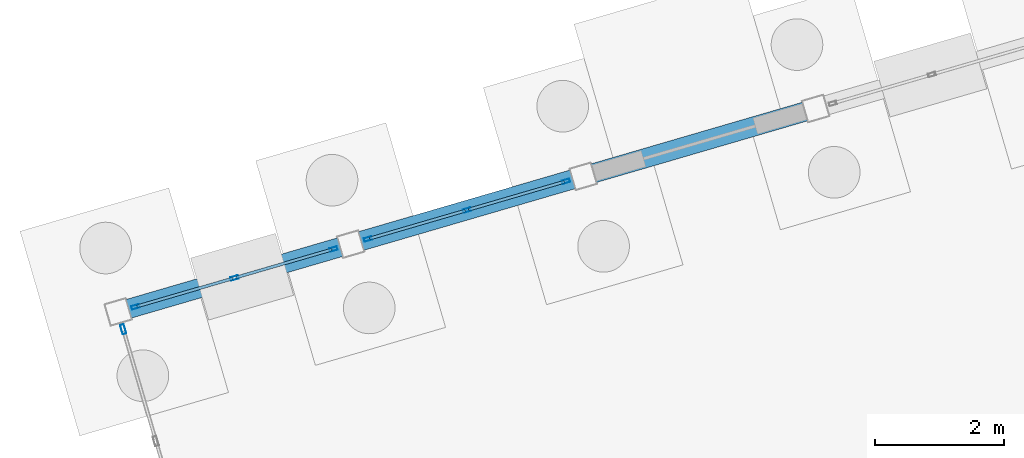
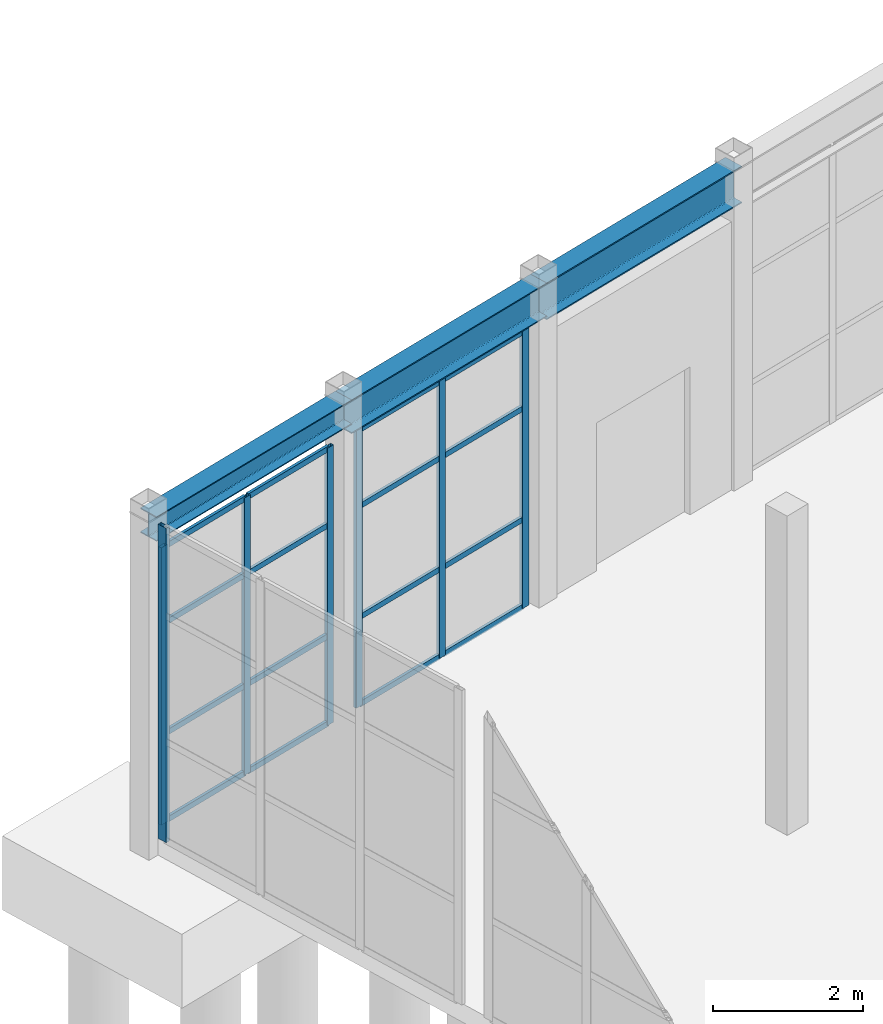
# One storey, part 31 of 90: 23 members, 3 beams, 3 elements without a shape of their own.
"""IFC4 building model written with IfcOpenShell, lengths in metres."""

import ifcopenshell
import ifcopenshell.guid

model = None  # the IFC model being written
_history = None  # IfcOwnerHistory: only IFC2X3 demands one
_inside = {}  # id of a spatial element -> (the spatial element, [elements in it])
_under = {}  # id of a project, library or spatial element -> (it, [spatial elements below it])
_declared = {}  # id of a project -> (the project, [libraries it declares])
_typed = {}  # id of a type object -> (the type object, [elements of that type])
_made_of = {}  # id of a material, layer set ... -> (it, [elements and type objects made of it])


def new_model(schema):
    """Start an empty IFC model of exactly this schema.

    Asked for "IFC4X3", IfcOpenShell would pick the latest addendum, in which some entities
    have other attributes; the version numbers below select the first issue.
    IFC2X3 requires an IfcOwnerHistory on every rooted entity: one is made here for all.
    """
    global model, _history
    if schema == "IFC4X3":
        model = ifcopenshell.file(schema_version=(4, 3, 0, 0))
    else:
        model = ifcopenshell.file(schema=schema)
    _inside.clear()
    _under.clear()
    _declared.clear()
    _typed.clear()
    _made_of.clear()
    _history = None
    if model.schema == "IFC2X3":
        org = make("IfcOrganization", Name="unknown")
        user = make(
            "IfcPersonAndOrganization",
            ThePerson=make("IfcPerson", FamilyName="unknown"),
            TheOrganization=org,
        )
        app = make(
            "IfcApplication",
            ApplicationDeveloper=org,
            Version="unknown",
            ApplicationFullName="unknown",
            ApplicationIdentifier="unknown",
        )
        _history = make(
            "IfcOwnerHistory",
            OwningUser=user,
            OwningApplication=app,
            ChangeAction="ADDED",
            CreationDate=0,
        )
    return model


def make(cls, **values):
    """One entity of the class cls with the attributes given. An attribute that is None is left unset."""
    return model.create_entity(
        cls, **{name: value for name, value in values.items() if value is not None}
    )


def rooted(cls, **values):
    """An entity with a GlobalId (a new one), such as an element, a storey or a relation."""
    return make(cls, GlobalId=ifcopenshell.guid.new(), OwnerHistory=_history, **values)


def si_unit(unit_type, name, prefix=None):
    """IfcSIUnit, for example si_unit("LENGTHUNIT", "METRE", prefix="MILLI")."""
    return make("IfcSIUnit", UnitType=unit_type, Prefix=prefix, Name=name)


def assignment(units):
    """IfcUnitAssignment: the units of a project."""
    return None if units is None else make("IfcUnitAssignment", Units=units)


def point(xyz):
    """IfcCartesianPoint."""
    return None if xyz is None else make("IfcCartesianPoint", Coordinates=xyz)


def direction(xyz):
    """IfcDirection."""
    return None if xyz is None else make("IfcDirection", DirectionRatios=xyz)


def frame(location, z_axis=None, x_axis=None):
    """IfcAxis2Placement3D, a coordinate frame: its origin and axes. An axis left out is left unset."""
    return make(
        "IfcAxis2Placement3D",
        Location=point(location),
        Axis=direction(z_axis),
        RefDirection=direction(x_axis),
    )


def frame_2d(location, x_axis=None):
    """IfcAxis2Placement2D, a coordinate frame in the plane: its origin and x axis."""
    return make(
        "IfcAxis2Placement2D", Location=point(location), RefDirection=direction(x_axis)
    )


def origin():
    """The frame at (0, 0, 0) with its axes left unset."""
    return frame((0.0, 0.0, 0.0))


def origin_2d():
    """The frame at (0, 0) in the plane with its x axis left unset."""
    return frame_2d((0.0, 0.0))


def place(relative_to, where):
    """IfcLocalPlacement: puts the frame where relative to a parent placement (None: the world)."""
    return make(
        "IfcLocalPlacement", PlacementRelTo=relative_to, RelativePlacement=where
    )


def context(
    kind, dimensions, precision=None, world=None, true_north=None, identifier=None
):
    """IfcGeometricRepresentationContext, for example the 3D "Model" context."""
    return make(
        "IfcGeometricRepresentationContext",
        ContextIdentifier=identifier,
        ContextType=kind,
        CoordinateSpaceDimension=dimensions,
        Precision=precision,
        WorldCoordinateSystem=world,
        TrueNorth=true_north,
    )


def subcontext(parent, identifier, kind, view, scale=None):
    """IfcGeometricRepresentationSubContext, for example "Body" below "Model"."""
    return make(
        "IfcGeometricRepresentationSubContext",
        ContextIdentifier=identifier,
        ContextType=kind,
        ParentContext=parent,
        TargetScale=scale,
        TargetView=view,
    )


def project(units=None, contexts=None):
    """IfcProject with its units and contexts."""
    return rooted(
        "IfcProject",
        Name="project",
        RepresentationContexts=contexts,
        UnitsInContext=assignment(units),
    )


def spatial(cls, under=None, at=None, **own):
    """A site, building, storey or space (cls), placed at a placement, below another one or the project."""
    s = rooted(cls, ObjectPlacement=at, **own)
    if under is not None:
        _under.setdefault(under.id(), (under, []))[1].append(s)
    return s


def profile(cls, at=None, kind="AREA", **sizes):
    """A parametric profile (cls). Its sizes go by their IFC names, for example OverallWidth=200.0."""
    return make(cls, ProfileType=kind, Position=at, **sizes)


def hollow_rectangle(**sizes):
    """IfcRectangleHollowProfileDef."""
    return profile("IfcRectangleHollowProfileDef", **sizes)


def i_section(**sizes):
    """IfcIShapeProfileDef."""
    return profile("IfcIShapeProfileDef", **sizes)


def extrude(swept, where, along, depth):
    """IfcExtrudedAreaSolid: the profile swept, set in the frame where, extruded along a direction by depth."""
    return make(
        "IfcExtrudedAreaSolid",
        SweptArea=swept,
        Position=where,
        ExtrudedDirection=direction(along),
        Depth=depth,
    )


def shape(context_of_items, identifier, shape_type, items):
    """IfcShapeRepresentation: the items that make up one representation, for example the "Body"."""
    return make(
        "IfcShapeRepresentation",
        ContextOfItems=context_of_items,
        RepresentationIdentifier=identifier,
        RepresentationType=shape_type,
        Items=items,
    )


def material(Name=None, Category=None):
    """IfcMaterial."""
    return make("IfcMaterial", Name=Name, Category=Category)


def layer(
    of_material, thickness, ventilated=None, Name=None, Category=None, Priority=None
):
    """IfcMaterialLayer: one layer of a wall or slab, of a material (None: an air gap)."""
    return make(
        "IfcMaterialLayer",
        Material=of_material,
        LayerThickness=thickness,
        IsVentilated=ventilated,
        Name=Name,
        Category=Category,
        Priority=Priority,
    )


def layer_set(layers, Name=None):
    """IfcMaterialLayerSet."""
    return make("IfcMaterialLayerSet", MaterialLayers=layers, LayerSetName=Name)


def material_profile(
    of_material, cross_section, Name=None, Category=None, Priority=None
):
    """IfcMaterialProfile: a cross section and its material."""
    return make(
        "IfcMaterialProfile",
        Name=Name,
        Material=of_material,
        Profile=cross_section,
        Priority=Priority,
        Category=Category,
    )


def profile_set(profiles, Name=None, composite=None):
    """IfcMaterialProfileSet."""
    return make(
        "IfcMaterialProfileSet",
        Name=Name,
        MaterialProfiles=profiles,
        CompositeProfile=composite,
    )


def made_of(thing, what):
    """Note that an element or type object is made of a material, layer set ...; save() writes the relation."""
    if what is not None:
        _made_of.setdefault(what.id(), (what, []))[1].append(thing)
    return thing


def type_object(cls, material=None, **own):
    """A type object (cls), such as IfcWallType, which elements share."""
    return made_of(rooted(cls, **own), material)


def element(
    cls,
    number,
    at=None,
    inside=None,
    cuts=None,
    type_object=None,
    material=None,
    context=None,
    identifier="Body",
    shape_type=None,
    held_by="IfcProductDefinitionShape",
    body=None,
    shapes=None,
    **own,
):
    """One element of the class cls, such as IfcWall. Its Tag is "e" and its number.

    at: its placement. inside: the storey or other place that contains it. cuts: it is an
    opening in that element (IfcRelVoidsElement). A single representation is given by context,
    identifier, shape_type and body (its items); several are given by shapes. held_by: the class
    of the entity that holds the representations. save() writes the other relations.
    """
    e = rooted(cls, Tag="e%d" % number, ObjectPlacement=at, **own)
    if body is not None:
        shapes = [shape(context, identifier, shape_type, body)]
    if shapes is not None:
        e.Representation = make(held_by, Representations=shapes)
    if inside is not None:
        _inside.setdefault(inside.id(), (inside, []))[1].append(e)
    if cuts is not None:
        rooted(
            "IfcRelVoidsElement", RelatingBuildingElement=cuts, RelatedOpeningElement=e
        )
    if type_object is not None:
        _typed.setdefault(type_object.id(), (type_object, []))[1].append(e)
    return made_of(e, material)


def aggregate(whole, parts):
    """IfcRelAggregates: a whole, such as a stair, and the parts it consists of."""
    return rooted("IfcRelAggregates", RelatingObject=whole, RelatedObjects=parts)


def save(model, path):
    """Write the relations noted so far, then the file.

    IfcRelAggregates (storeys below a building ...), IfcRelContainedInSpatialStructure (elements
    in a storey), IfcRelDefinesByType, IfcRelAssociatesMaterial and IfcRelDeclares: one each for
    every whole, place, type object, material and project.
    """
    for whole, parts in _under.values():
        aggregate(whole, parts)
    for where, things in _inside.values():
        rooted(
            "IfcRelContainedInSpatialStructure",
            RelatedElements=things,
            RelatingStructure=where,
        )
    for kind, things in _typed.values():
        rooted("IfcRelDefinesByType", RelatedObjects=things, RelatingType=kind)
    for what, things in _made_of.values():
        rooted("IfcRelAssociatesMaterial", RelatedObjects=things, RelatingMaterial=what)
    for by, libraries in _declared.values():
        rooted("IfcRelDeclares", RelatingContext=by, RelatedDefinitions=libraries)
    model.write(path)


model = new_model("IFC4")

# Units and contexts
model_context = context("Model", 3, precision=1e-05, world=origin(), true_north=direction((0.0, 1.0)))
body_context = subcontext(model_context, "Body", "Model", "MODEL_VIEW")
ifc_project = project(units=[si_unit("LENGTHUNIT", "METRE"), si_unit("AREAUNIT", "SQUARE_METRE"), si_unit("VOLUMEUNIT", "CUBIC_METRE"), si_unit("PLANEANGLEUNIT", "RADIAN"), si_unit("MASSUNIT", "GRAM", prefix="KILO")], contexts=[model_context])

# Site, building, storey
site_placement = place(None, origin())
site = spatial("IfcSite", under=ifc_project, at=site_placement, CompositionType="ELEMENT")
building_placement = place(site_placement, origin())
building = spatial("IfcBuilding", under=site, at=building_placement, Name="Canggui Botanical Conservatory", CompositionType="ELEMENT")
storey_placement = place(building_placement, origin())
storey = spatial("IfcBuildingStorey", under=building, at=storey_placement, Name="L01", CompositionType="ELEMENT", Elevation=0.0)

# Beams
ifc_material_1 = material(Name="Steel Q355B", Category="steel")
ifc_material_profile_1 = material_profile(ifc_material_1, i_section(OverallWidth=0.300048828125, OverallDepth=0.39990234375, WebThickness=0.010009765625, FlangeThickness=0.01611328125, FilletRadius=0.02197265625, at=origin_2d()), Name="HM 400x300x10x16")
ifc_profile_set_1 = profile_set([ifc_material_profile_1], Name="Steel Q355B")
beam_type_1 = type_object("IfcBeamType", Name="BM-GL03", PredefinedType="BEAM", material=ifc_profile_set_1)
beam_1_placement = place(storey_placement, frame((11.60009765625, 70.800048828125, 4.97509765625), z_axis=(0.959993437014, 0.280022500685, 0.0), x_axis=(-0.280022500685, 0.959993437014, 0.0)))
element("IfcBeam", 1, at=beam_1_placement, inside=storey, type_object=beam_type_1, Name="Conservatory Skywalk Perimeter Girder V1-01", PredefinedType="BEAM", context=body_context, shape_type="SweptSolid", body=[
    extrude(i_section(OverallWidth=0.300048828125, OverallDepth=0.39990234375, WebThickness=0.010009765625, FlangeThickness=0.01611328125, FilletRadius=0.02197265625, at=origin_2d()), origin(), (0.0, 0.0, 1.0), 3.749755859375),
])
ifc_material_profile_2 = material_profile(ifc_material_1, i_section(OverallWidth=0.300048828125, OverallDepth=0.550048828125, WebThickness=0.010986328125, FlangeThickness=0.01806640625, FilletRadius=0.02392578125, at=origin_2d()), Name="HM 550x300x11x18")
ifc_profile_set_2 = profile_set([ifc_material_profile_2], Name="Steel Q355B")
beam_type_2 = type_object("IfcBeamType", Name="BM-GL08", PredefinedType="BEAM", material=ifc_profile_set_2)
beam_2_placement = place(storey_placement, frame((15.199951171875, 71.85009765625, 4.89990234375), z_axis=(0.960016039924, 0.279945000113, 0.0), x_axis=(-0.279945000113, 0.960016039924, 0.0)))
element("IfcBeam", 2, at=beam_2_placement, inside=storey, type_object=beam_type_2, Name="Conservatory Skywalk Perimeter Girder V1-02", PredefinedType="BEAM", context=body_context, shape_type="SweptSolid", body=[
    extrude(i_section(OverallWidth=0.300048828125, OverallDepth=0.550048828125, WebThickness=0.010986328125, FlangeThickness=0.01806640625, FilletRadius=0.02392578125, at=origin_2d()), origin(), (0.0, 0.0, 1.0), 3.75),
])
ifc_material_profile_3 = material_profile(ifc_material_1, i_section(OverallWidth=0.300048828125, OverallDepth=0.60009765625, WebThickness=0.011962890625, FlangeThickness=0.02001953125, FilletRadius=0.02392578125, at=origin_2d()), Name="HM 600x300x12x20")
ifc_profile_set_3 = profile_set([ifc_material_profile_3], Name="Steel Q355B")
beam_type_3 = type_object("IfcBeamType", Name="BM-GL09", PredefinedType="BEAM", material=ifc_profile_set_3)
beam_3_placement = place(storey_placement, frame((18.800048828125, 72.89990234375, 4.875), z_axis=(0.959993437014, 0.280022500685, 0.0), x_axis=(-0.280022500685, 0.959993437014, 0.0)))
element("IfcBeam", 3, at=beam_3_placement, inside=storey, type_object=beam_type_3, Name="Conservatory Skywalk Perimeter Girder V1-03", PredefinedType="BEAM", context=body_context, shape_type="SweptSolid", body=[
    extrude(i_section(OverallWidth=0.300048828125, OverallDepth=0.60009765625, WebThickness=0.011962890625, FlangeThickness=0.02001953125, FilletRadius=0.02392578125, at=origin_2d()), origin(), (0.0, 0.0, 1.0), 3.749755859375),
])

# Curtain wall, member
ifc_material_2 = material(Name="Thermally Broken Aluminium", Category="aluminium")
ifc_layer_1 = layer(ifc_material_2, 0.14990234375, Name="Thermally Broken Aluminium", Category="aluminium")
ifc_layer_set_1 = layer_set([ifc_layer_1], Name="Thermally Broken Aluminium")
curtain_wall_type_1 = type_object("IfcCurtainWallType", Name="CW-UNIT-C", PredefinedType="USERDEFINED", material=ifc_layer_set_1)
curtain_wall_1_placement = place(storey_placement, origin())
curtain_wall_1 = element("IfcCurtainWall", 4, at=curtain_wall_1_placement, inside=storey, type_object=curtain_wall_type_1, Name="Facade Curtain Wall CW-CONS-GABLE-S-05", ObjectType="UNITISED CURTAIN WALL", PredefinedType="USERDEFINED")
ifc_material_profile_4 = material_profile(ifc_material_2, hollow_rectangle(XDim=0.06005859375, YDim=0.14990234375, WallThickness=0.00341796875, at=origin_2d()), Name="CWM 60x150x3.5")
ifc_profile_set_4 = profile_set([ifc_material_profile_4], Name="Thermally Broken Aluminium")
member_type_1 = type_object("IfcMemberType", Name="CWM-03", PredefinedType="MULLION", material=ifc_profile_set_4)
member_1_placement = place(storey_placement, frame((11.678466796875, 70.53125, 0.0), z_axis=(0.0, 0.0, 1.0), x_axis=(-0.960000000002, -0.279999999995, 0.0)))
member_1 = element("IfcMember", 5, at=member_1_placement, type_object=member_type_1, Name="CW-03 mullion 4", PredefinedType="MULLION", context=body_context, shape_type="SweptSolid", body=[
    extrude(hollow_rectangle(XDim=0.06005859375, YDim=0.14990234375, WallThickness=0.00341796875, at=origin_2d()), origin(), (0.0, 0.0, 1.0), 5.10009765625),
])
aggregate(curtain_wall_1, [member_1])

# Curtain wall, members
ifc_layer_2 = layer(ifc_material_2, 0.1201171875, Name="Thermally Broken Aluminium", Category="aluminium")
ifc_layer_set_2 = layer_set([ifc_layer_2], Name="Thermally Broken Aluminium")
curtain_wall_type_2 = type_object("IfcCurtainWallType", Name="CW-STICK-B", PredefinedType="USERDEFINED", material=ifc_layer_set_2)
curtain_wall_2_placement = place(storey_placement, origin())
curtain_wall_2 = element("IfcCurtainWall", 6, at=curtain_wall_2_placement, inside=storey, type_object=curtain_wall_type_2, Name="Facade Curtain Wall CW-CONS-L01-V1-01", ObjectType="STICK GLAZED WALL", PredefinedType="USERDEFINED")
ifc_material_profile_5 = material_profile(ifc_material_2, hollow_rectangle(XDim=0.054931640625, YDim=0.1201171875, WallThickness=0.0029296875, at=origin_2d()), Name="CWM 55x120x3")
ifc_profile_set_5 = profile_set([ifc_material_profile_5], Name="Thermally Broken Aluminium")
member_type_2 = type_object("IfcMemberType", Name="CWM-05", PredefinedType="MULLION", material=ifc_profile_set_5)
member_2_placement = place(storey_placement, frame((11.866455078125, 70.877685546875, 0.0), z_axis=(0.0, 0.0, 1.0), x_axis=(-0.279999999995, 0.960000000002, 0.0)))
member_2 = element("IfcMember", 7, at=member_2_placement, type_object=member_type_2, Name="CW-05 mullion 1", PredefinedType="MULLION", context=body_context, shape_type="SweptSolid", body=[
    extrude(hollow_rectangle(XDim=0.054931640625, YDim=0.1201171875, WallThickness=0.0029296875, at=origin_2d()), origin(), (0.0, 0.0, 1.0), 4.5),
])
member_3_placement = place(storey_placement, frame((13.39990234375, 71.324951171875, 0.0), z_axis=(0.0, 0.0, 1.0), x_axis=(-0.279999999995, 0.960000000002, 0.0)))
member_3 = element("IfcMember", 8, at=member_3_placement, type_object=member_type_2, Name="CW-05 mullion 2", PredefinedType="MULLION", context=body_context, shape_type="SweptSolid", body=[
    extrude(hollow_rectangle(XDim=0.054931640625, YDim=0.1201171875, WallThickness=0.0029296875, at=origin_2d()), origin(), (0.0, 0.0, 1.0), 4.5),
])
member_4_placement = place(storey_placement, frame((14.93359375, 71.772216796875, 0.0), z_axis=(0.0, 0.0, 1.0), x_axis=(-0.279999999995, 0.960000000002, 0.0)))
member_4 = element("IfcMember", 9, at=member_4_placement, type_object=member_type_2, Name="CW-05 mullion 3", PredefinedType="MULLION", context=body_context, shape_type="SweptSolid", body=[
    extrude(hollow_rectangle(XDim=0.054931640625, YDim=0.1201171875, WallThickness=0.0029296875, at=origin_2d()), origin(), (0.0, 0.0, 1.0), 4.5),
])

curtain_wall_3_placement = place(storey_placement, origin())
curtain_wall_3 = element("IfcCurtainWall", 10, at=curtain_wall_3_placement, inside=storey, type_object=curtain_wall_type_2, Name="Facade Curtain Wall CW-CONS-L01-V1-02", ObjectType="STICK GLAZED WALL", PredefinedType="USERDEFINED")
member_5_placement = place(storey_placement, frame((15.46630859375, 71.927734375, 0.0), z_axis=(0.0, 0.0, 1.0), x_axis=(-0.279999999995, 0.960000000002, 0.0)))
member_5 = element("IfcMember", 11, at=member_5_placement, type_object=member_type_2, Name="CW-05 mullion 1", PredefinedType="MULLION", context=body_context, shape_type="SweptSolid", body=[
    extrude(hollow_rectangle(XDim=0.054931640625, YDim=0.1201171875, WallThickness=0.0029296875, at=origin_2d()), origin(), (0.0, 0.0, 1.0), 4.5),
])
member_6_placement = place(storey_placement, frame((17.0, 72.375, 0.0), z_axis=(0.0, 0.0, 1.0), x_axis=(-0.279999999995, 0.960000000002, 0.0)))
member_6 = element("IfcMember", 12, at=member_6_placement, type_object=member_type_2, Name="CW-05 mullion 2", PredefinedType="MULLION", context=body_context, shape_type="SweptSolid", body=[
    extrude(hollow_rectangle(XDim=0.054931640625, YDim=0.1201171875, WallThickness=0.0029296875, at=origin_2d()), origin(), (0.0, 0.0, 1.0), 4.5),
])
member_7_placement = place(storey_placement, frame((18.53369140625, 72.822265625, 0.0), z_axis=(0.0, 0.0, 1.0), x_axis=(-0.279999999995, 0.960000000002, 0.0)))
member_7 = element("IfcMember", 13, at=member_7_placement, type_object=member_type_2, Name="CW-05 mullion 3", PredefinedType="MULLION", context=body_context, shape_type="SweptSolid", body=[
    extrude(hollow_rectangle(XDim=0.054931640625, YDim=0.1201171875, WallThickness=0.0029296875, at=origin_2d()), origin(), (0.0, 0.0, 1.0), 4.5),
])

# Member
ifc_material_profile_6 = material_profile(ifc_material_2, hollow_rectangle(XDim=0.044921875, YDim=0.090087890625, WallThickness=0.0029296875, at=origin_2d()), Name="CWT 45x90x3")
ifc_profile_set_6 = profile_set([ifc_material_profile_6], Name="Thermally Broken Aluminium")
member_type_3 = type_object("IfcMemberType", Name="CWT-05", PredefinedType="USERDEFINED", material=ifc_profile_set_6)
member_8_placement = place(storey_placement, frame((11.892822265625, 70.885498046875, 0.0224609375), z_axis=(0.959998227189, 0.280006078137, 0.0), x_axis=(-0.280006078137, 0.959998227189, 0.0)))
member_8 = element("IfcMember", 14, at=member_8_placement, type_object=member_type_3, Name="CW-05 transom 1.1", ObjectType="TRANSOM", PredefinedType="USERDEFINED", context=body_context, shape_type="SweptSolid", body=[
    extrude(hollow_rectangle(XDim=0.044921875, YDim=0.090087890625, WallThickness=0.0029296875, at=origin_2d()), origin(), (0.0, 0.0, 1.0), 1.54248046875),
])

member_9_placement = place(storey_placement, frame((11.892822265625, 70.885498046875, 1.43994140625), z_axis=(0.959998227189, 0.280006078137, 0.0), x_axis=(-0.280006078137, 0.959998227189, 0.0)))
member_9 = element("IfcMember", 15, at=member_9_placement, type_object=member_type_3, Name="CW-05 transom 1.2", ObjectType="TRANSOM", PredefinedType="USERDEFINED", context=body_context, shape_type="SweptSolid", body=[
    extrude(hollow_rectangle(XDim=0.044921875, YDim=0.090087890625, WallThickness=0.0029296875, at=origin_2d()), origin(), (0.0, 0.0, 1.0), 1.54248046875),
])

member_10_placement = place(storey_placement, frame((11.892822265625, 70.885498046875, 3.239990234375), z_axis=(0.959998227189, 0.280006078137, 0.0), x_axis=(-0.280006078137, 0.959998227189, 0.0)))
member_10 = element("IfcMember", 16, at=member_10_placement, type_object=member_type_3, Name="CW-05 transom 1.3", ObjectType="TRANSOM", PredefinedType="USERDEFINED", context=body_context, shape_type="SweptSolid", body=[
    extrude(hollow_rectangle(XDim=0.044921875, YDim=0.090087890625, WallThickness=0.0029296875, at=origin_2d()), origin(), (0.0, 0.0, 1.0), 1.54248046875),
])

member_11_placement = place(storey_placement, frame((11.892822265625, 70.885498046875, 4.4775390625), z_axis=(0.959998227189, 0.280006078137, 0.0), x_axis=(-0.280006078137, 0.959998227189, 0.0)))
member_11 = element("IfcMember", 17, at=member_11_placement, type_object=member_type_3, Name="CW-05 transom 1.4", ObjectType="TRANSOM", PredefinedType="USERDEFINED", context=body_context, shape_type="SweptSolid", body=[
    extrude(hollow_rectangle(XDim=0.044921875, YDim=0.090087890625, WallThickness=0.0029296875, at=origin_2d()), origin(), (0.0, 0.0, 1.0), 1.54248046875),
])

member_12_placement = place(storey_placement, frame((13.426513671875, 71.332763671875, 0.0224609375), z_axis=(0.959998227189, 0.280006078137, 0.0), x_axis=(-0.280006078137, 0.959998227189, 0.0)))
member_12 = element("IfcMember", 18, at=member_12_placement, type_object=member_type_3, Name="CW-05 transom 2.1", ObjectType="TRANSOM", PredefinedType="USERDEFINED", context=body_context, shape_type="SweptSolid", body=[
    extrude(hollow_rectangle(XDim=0.044921875, YDim=0.090087890625, WallThickness=0.0029296875, at=origin_2d()), origin(), (0.0, 0.0, 1.0), 1.54248046875),
])

member_13_placement = place(storey_placement, frame((13.426513671875, 71.332763671875, 1.43994140625), z_axis=(0.959998227189, 0.280006078137, 0.0), x_axis=(-0.280006078137, 0.959998227189, 0.0)))
member_13 = element("IfcMember", 19, at=member_13_placement, type_object=member_type_3, Name="CW-05 transom 2.2", ObjectType="TRANSOM", PredefinedType="USERDEFINED", context=body_context, shape_type="SweptSolid", body=[
    extrude(hollow_rectangle(XDim=0.044921875, YDim=0.090087890625, WallThickness=0.0029296875, at=origin_2d()), origin(), (0.0, 0.0, 1.0), 1.54248046875),
])

member_14_placement = place(storey_placement, frame((13.426513671875, 71.332763671875, 3.239990234375), z_axis=(0.959998227189, 0.280006078137, 0.0), x_axis=(-0.280006078137, 0.959998227189, 0.0)))
member_14 = element("IfcMember", 20, at=member_14_placement, type_object=member_type_3, Name="CW-05 transom 2.3", ObjectType="TRANSOM", PredefinedType="USERDEFINED", context=body_context, shape_type="SweptSolid", body=[
    extrude(hollow_rectangle(XDim=0.044921875, YDim=0.090087890625, WallThickness=0.0029296875, at=origin_2d()), origin(), (0.0, 0.0, 1.0), 1.54248046875),
])

member_15_placement = place(storey_placement, frame((13.426513671875, 71.332763671875, 4.4775390625), z_axis=(0.959998227189, 0.280006078137, 0.0), x_axis=(-0.280006078137, 0.959998227189, 0.0)))
member_15 = element("IfcMember", 21, at=member_15_placement, type_object=member_type_3, Name="CW-05 transom 2.4", ObjectType="TRANSOM", PredefinedType="USERDEFINED", context=body_context, shape_type="SweptSolid", body=[
    extrude(hollow_rectangle(XDim=0.044921875, YDim=0.090087890625, WallThickness=0.0029296875, at=origin_2d()), origin(), (0.0, 0.0, 1.0), 1.54248046875),
])

aggregate(curtain_wall_2, [member_2, member_3, member_4, member_8, member_9, member_10, member_11, member_12, member_13, member_14, member_15])

member_16_placement = place(storey_placement, frame((15.492919921875, 71.935302734375, 0.0224609375), z_axis=(0.959998227189, 0.280006078137, 0.0), x_axis=(-0.280006078137, 0.959998227189, 0.0)))
member_16 = element("IfcMember", 22, at=member_16_placement, type_object=member_type_3, Name="CW-05 transom 1.1", ObjectType="TRANSOM", PredefinedType="USERDEFINED", context=body_context, shape_type="SweptSolid", body=[
    extrude(hollow_rectangle(XDim=0.044921875, YDim=0.090087890625, WallThickness=0.0029296875, at=origin_2d()), origin(), (0.0, 0.0, 1.0), 1.54248046875),
])

member_17_placement = place(storey_placement, frame((15.492919921875, 71.935302734375, 1.43994140625), z_axis=(0.959998227189, 0.280006078137, 0.0), x_axis=(-0.280006078137, 0.959998227189, 0.0)))
member_17 = element("IfcMember", 23, at=member_17_placement, type_object=member_type_3, Name="CW-05 transom 1.2", ObjectType="TRANSOM", PredefinedType="USERDEFINED", context=body_context, shape_type="SweptSolid", body=[
    extrude(hollow_rectangle(XDim=0.044921875, YDim=0.090087890625, WallThickness=0.0029296875, at=origin_2d()), origin(), (0.0, 0.0, 1.0), 1.54248046875),
])

member_18_placement = place(storey_placement, frame((15.492919921875, 71.935302734375, 3.239990234375), z_axis=(0.959998227189, 0.280006078137, 0.0), x_axis=(-0.280006078137, 0.959998227189, 0.0)))
member_18 = element("IfcMember", 24, at=member_18_placement, type_object=member_type_3, Name="CW-05 transom 1.3", ObjectType="TRANSOM", PredefinedType="USERDEFINED", context=body_context, shape_type="SweptSolid", body=[
    extrude(hollow_rectangle(XDim=0.044921875, YDim=0.090087890625, WallThickness=0.0029296875, at=origin_2d()), origin(), (0.0, 0.0, 1.0), 1.54248046875),
])

member_19_placement = place(storey_placement, frame((15.492919921875, 71.935302734375, 4.4775390625), z_axis=(0.959998227189, 0.280006078137, 0.0), x_axis=(-0.280006078137, 0.959998227189, 0.0)))
member_19 = element("IfcMember", 25, at=member_19_placement, type_object=member_type_3, Name="CW-05 transom 1.4", ObjectType="TRANSOM", PredefinedType="USERDEFINED", context=body_context, shape_type="SweptSolid", body=[
    extrude(hollow_rectangle(XDim=0.044921875, YDim=0.090087890625, WallThickness=0.0029296875, at=origin_2d()), origin(), (0.0, 0.0, 1.0), 1.54248046875),
])

member_20_placement = place(storey_placement, frame((17.0263671875, 72.3828125, 0.0224609375), z_axis=(0.959998227189, 0.280006078137, 0.0), x_axis=(-0.280006078137, 0.959998227189, 0.0)))
member_20 = element("IfcMember", 26, at=member_20_placement, type_object=member_type_3, Name="CW-05 transom 2.1", ObjectType="TRANSOM", PredefinedType="USERDEFINED", context=body_context, shape_type="SweptSolid", body=[
    extrude(hollow_rectangle(XDim=0.044921875, YDim=0.090087890625, WallThickness=0.0029296875, at=origin_2d()), origin(), (0.0, 0.0, 1.0), 1.54248046875),
])

member_21_placement = place(storey_placement, frame((17.0263671875, 72.3828125, 1.43994140625), z_axis=(0.959998227189, 0.280006078137, 0.0), x_axis=(-0.280006078137, 0.959998227189, 0.0)))
member_21 = element("IfcMember", 27, at=member_21_placement, type_object=member_type_3, Name="CW-05 transom 2.2", ObjectType="TRANSOM", PredefinedType="USERDEFINED", context=body_context, shape_type="SweptSolid", body=[
    extrude(hollow_rectangle(XDim=0.044921875, YDim=0.090087890625, WallThickness=0.0029296875, at=origin_2d()), origin(), (0.0, 0.0, 1.0), 1.54248046875),
])

member_22_placement = place(storey_placement, frame((17.0263671875, 72.3828125, 3.239990234375), z_axis=(0.959998227189, 0.280006078137, 0.0), x_axis=(-0.280006078137, 0.959998227189, 0.0)))
member_22 = element("IfcMember", 28, at=member_22_placement, type_object=member_type_3, Name="CW-05 transom 2.3", ObjectType="TRANSOM", PredefinedType="USERDEFINED", context=body_context, shape_type="SweptSolid", body=[
    extrude(hollow_rectangle(XDim=0.044921875, YDim=0.090087890625, WallThickness=0.0029296875, at=origin_2d()), origin(), (0.0, 0.0, 1.0), 1.54248046875),
])

member_23_placement = place(storey_placement, frame((17.0263671875, 72.3828125, 4.4775390625), z_axis=(0.959998227189, 0.280006078137, 0.0), x_axis=(-0.280006078137, 0.959998227189, 0.0)))
member_23 = element("IfcMember", 29, at=member_23_placement, type_object=member_type_3, Name="CW-05 transom 2.4", ObjectType="TRANSOM", PredefinedType="USERDEFINED", context=body_context, shape_type="SweptSolid", body=[
    extrude(hollow_rectangle(XDim=0.044921875, YDim=0.090087890625, WallThickness=0.0029296875, at=origin_2d()), origin(), (0.0, 0.0, 1.0), 1.54248046875),
])

aggregate(curtain_wall_3, [member_5, member_6, member_7, member_16, member_17, member_18, member_19, member_20, member_21, member_22, member_23])

save(model, "model.ifc")
